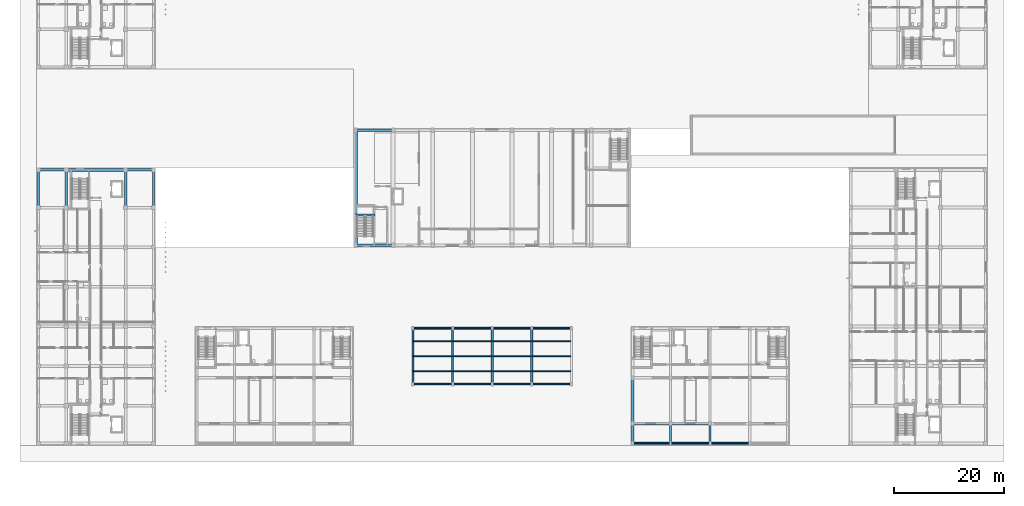
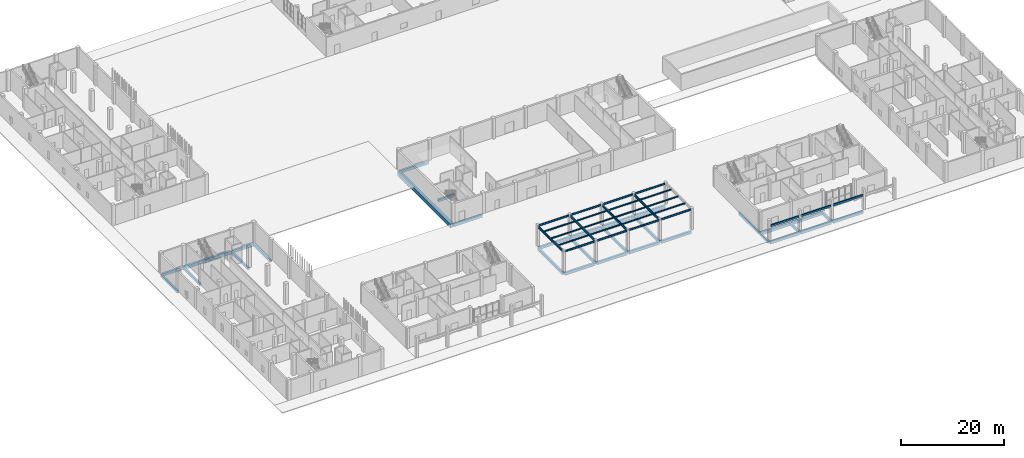
# One storey, part 11 of 85: 59 beams.
"""IFC4 building model written with IfcOpenShell, lengths in metres."""

from ifc_helpers import new_model, si_unit, derived_unit, direction, frame, origin, origin_2d, place, context, subcontext, project, spatial, rectangle, i_section, extrude, material, material_profile, profile_set, type_object, element, save


model = new_model("IFC4")

# Units and contexts
model_context = context("Model", 3, precision=1e-05, world=origin(), true_north=direction((0.0, 1.0)))
body_context = subcontext(model_context, "Body", "Model", "MODEL_VIEW")
ifc_project = project(units=[si_unit("LENGTHUNIT", "METRE"), si_unit("AREAUNIT", "SQUARE_METRE"), si_unit("VOLUMEUNIT", "CUBIC_METRE"), si_unit("PLANEANGLEUNIT", "RADIAN"), si_unit("MASSUNIT", "GRAM", prefix="KILO"), derived_unit("THERMALTRANSMITTANCEUNIT", [(si_unit("MASSUNIT", "GRAM", prefix="KILO"), 1), (si_unit("TIMEUNIT", "SECOND"), -3), (si_unit("THERMODYNAMICTEMPERATUREUNIT", "KELVIN"), -1)])], contexts=[model_context])

# Site, building, storey
site_placement = place(None, origin())
site = spatial("IfcSite", under=ifc_project, at=site_placement, CompositionType="ELEMENT")
building_placement = place(site_placement, origin())
building = spatial("IfcBuilding", under=site, at=building_placement, Name="Ochrekiln Boulevard Commons", CompositionType="ELEMENT")
storey_placement = place(building_placement, origin())
storey = spatial("IfcBuildingStorey", under=building, at=storey_placement, Name="L00", CompositionType="ELEMENT", Elevation=0.0)

# Beams
ifc_material_1 = material(Name="Concrete C35/45", Category="concrete")
ifc_material_profile_1 = material_profile(ifc_material_1, rectangle(XDim=0.39990234375, YDim=0.60009765625, at=origin_2d()), Name="RC-BM-400x600")
ifc_profile_set_1 = profile_set([ifc_material_profile_1], Name="Concrete C35/45")
beam_type_1 = type_object("IfcBeamType", Name="BM-RC-400x600", PredefinedType="BEAM", material=ifc_profile_set_1)
for number, where, z_axis, x_axis, name in (
    (1, (0.35009765625, 43.409912109375, -0.580078125), (0.0, 1.0, 0.0), (-1.0, 0.0, 0.0), "Block D L00 Beam B-4060 Y29"),
    (2, (5.39990234375, 43.409912109375, -0.580078125), (0.0, 1.0, 0.0), (-1.0, 0.0, 0.0), "Block D L00 Beam B-4060 Y36"),
    (3, (16.199951171875, 43.409912109375, -0.580078125), (0.0, 1.0, 0.0), (-1.0, 0.0, 0.0), "Block D L00 Beam B-4060 Y43"),
    (4, (21.25, 43.409912109375, -0.580078125), (0.0, 1.0, 0.0), (-1.0, 0.0, 0.0), "Block D L00 Beam B-4060 Y50"),
):
    element("IfcBeam", number, at=place(storey_placement, frame(where, z_axis=z_axis, x_axis=x_axis)), inside=storey, type_object=beam_type_1, Name=name, PredefinedType="BEAM", context=body_context, shape_type="SweptSolid", body=[
        extrude(rectangle(XDim=0.39990234375, YDim=0.60009765625, at=origin_2d()), origin(), (0.0, 0.0, 1.0), 6.43017578125),
    ])
beam_1_placement = place(storey_placement, frame((108.35009765625, 0.56005859375, -0.590087890625), z_axis=(0.0, 1.0, 0.0), x_axis=(-1.0, 0.0, 0.0)))
element("IfcBeam", 5, at=beam_1_placement, inside=storey, type_object=beam_type_1, Name="East Boulevard Shops and Arcade L00 Beam B-4060 Y17", PredefinedType="BEAM", context=body_context, shape_type="SweptSolid", body=[
    extrude(rectangle(XDim=0.39990234375, YDim=0.60009765625, at=origin_2d()), origin(), (0.0, 0.0, 1.0), 3.179931640625),
])
beam_2_placement = place(storey_placement, frame((108.35009765625, 4.159912109375, -0.590087890625), z_axis=(0.0, 1.0, 0.0), x_axis=(-1.0, 0.0, 0.0)))
element("IfcBeam", 6, at=beam_2_placement, inside=storey, type_object=beam_type_1, Name="East Boulevard Shops and Arcade L00 Beam B-4060 Y18", PredefinedType="BEAM", context=body_context, shape_type="SweptSolid", body=[
    extrude(rectangle(XDim=0.39990234375, YDim=0.60009765625, at=origin_2d()), origin(), (0.0, 0.0, 1.0), 7.880126953125),
])
for number, where, z_axis, x_axis, name in (
    (7, (115.199951171875, 0.56005859375, -0.590087890625), (0.0, 1.0, 0.0), (-1.0, 0.0, 0.0), "East Boulevard Shops and Arcade L00 Beam B-4060 Y20"),
    (8, (122.39990234375, 0.56005859375, -0.590087890625), (0.0, 1.0, 0.0), (-1.0, 0.0, 0.0), "East Boulevard Shops and Arcade L00 Beam B-4060 Y23"),
):
    element("IfcBeam", number, at=place(storey_placement, frame(where, z_axis=z_axis, x_axis=x_axis)), inside=storey, type_object=beam_type_1, Name=name, PredefinedType="BEAM", context=body_context, shape_type="SweptSolid", body=[
        extrude(rectangle(XDim=0.39990234375, YDim=0.60009765625, at=origin_2d()), origin(), (0.0, 0.0, 1.0), 3.179931640625),
    ])
for number, where, z_axis, x_axis, name in (
    (9, (68.39990234375, 11.360107421875, -0.580078125), (0.0, 1.0, 0.0), (-1.0, 0.0, 0.0), "Forecourt Canopy L00 Beam B-4060 Y9"),
    (10, (75.60009765625, 11.360107421875, -0.580078125), (0.0, 1.0, 0.0), (-1.0, 0.0, 0.0), "Forecourt Canopy L00 Beam B-4060 Y10"),
    (11, (82.800048828125, 11.360107421875, -0.580078125), (0.0, 1.0, 0.0), (-1.0, 0.0, 0.0), "Forecourt Canopy L00 Beam B-4060 Y11"),
    (12, (90.0, 11.360107421875, -0.580078125), (0.0, 1.0, 0.0), (-1.0, 0.0, 0.0), "Forecourt Canopy L00 Beam B-4060 Y12"),
):
    element("IfcBeam", number, at=place(storey_placement, frame(where, z_axis=z_axis, x_axis=x_axis)), inside=storey, type_object=beam_type_1, Name=name, PredefinedType="BEAM", context=body_context, shape_type="SweptSolid", body=[
        extrude(rectangle(XDim=0.39990234375, YDim=0.60009765625, at=origin_2d()), origin(), (0.0, 0.0, 1.0), 9.679931640625),
    ])
beam_3_placement = place(storey_placement, frame((57.919921875, 41.8701171875, 1.93994140625), z_axis=(1.0, 0.0, 0.0), x_axis=(0.0, 1.0, 0.0)))
element("IfcBeam", 13, at=beam_3_placement, inside=storey, type_object=beam_type_1, Name="Stair ST-H1 L00 Half-Landing Support Beam B-4060", PredefinedType="BEAM", context=body_context, shape_type="SweptSolid", body=[
    extrude(rectangle(XDim=0.39990234375, YDim=0.60009765625, at=origin_2d()), origin(), (0.0, 0.0, 1.0), 3.56005859375),
])
ifc_material_profile_2 = material_profile(ifc_material_1, rectangle(XDim=0.449951171875, YDim=0.64990234375, at=origin_2d()), Name="RC-BM-450x650")
ifc_profile_set_2 = profile_set([ifc_material_profile_2], Name="Concrete C35/45")
beam_type_2 = type_object("IfcBeamType", Name="BM-RC-450x650", PredefinedType="BEAM", material=ifc_profile_set_2)
beam_4_placement = place(storey_placement, frame((0.56005859375, 50.050048828125, -0.60498046875), z_axis=(1.0, 0.0, 0.0), x_axis=(0.0, 1.0, 0.0)))
element("IfcBeam", 14, at=beam_4_placement, inside=storey, type_object=beam_type_2, Name="Block D L00 Beam B-4565 X20", PredefinedType="BEAM", context=body_context, shape_type="SweptSolid", body=[
    extrude(rectangle(XDim=0.449951171875, YDim=0.64990234375, at=origin_2d()), origin(), (0.0, 0.0, 1.0), 4.6298828125),
])
beam_5_placement = place(storey_placement, frame((16.409912109375, 50.050048828125, -0.60498046875), z_axis=(1.0, 0.0, 0.0), x_axis=(0.0, 1.0, 0.0)))
element("IfcBeam", 15, at=beam_5_placement, inside=storey, type_object=beam_type_2, Name="Block D L00 Beam B-4565 X22", PredefinedType="BEAM", context=body_context, shape_type="SweptSolid", body=[
    extrude(rectangle(XDim=0.449951171875, YDim=0.64990234375, at=origin_2d()), origin(), (0.0, 0.0, 1.0), 4.630126953125),
])
for number, where, z_axis, x_axis, name in (
    (16, (58.159912109375, 36.35009765625, -0.64501953125), (1.0, 0.0, 0.0), (0.0, 1.0, 0.0), "Community Hall L00 Beam B-4565 X1"),
    (17, (58.159912109375, 57.25, -0.64501953125), (1.0, 0.0, 0.0), (0.0, 1.0, 0.0), "Community Hall L00 Beam B-4565 X8"),
):
    element("IfcBeam", number, at=place(storey_placement, frame(where, z_axis=z_axis, x_axis=x_axis)), inside=storey, type_object=beam_type_2, Name=name, PredefinedType="BEAM", context=body_context, shape_type="SweptSolid", body=[
        extrude(rectangle(XDim=0.449951171875, YDim=0.64990234375, at=origin_2d()), origin(), (0.0, 0.0, 1.0), 6.43017578125),
    ])
beam_6_placement = place(storey_placement, frame((108.56005859375, 0.35009765625, -0.614990234375), z_axis=(1.0, 0.0, 0.0), x_axis=(0.0, 1.0, 0.0)))
element("IfcBeam", 18, at=beam_6_placement, inside=storey, type_object=beam_type_2, Name="East Boulevard Shops and Arcade L00 Beam B-4565 X1", PredefinedType="BEAM", context=body_context, shape_type="SweptSolid", body=[
    extrude(rectangle(XDim=0.449951171875, YDim=0.64990234375, at=origin_2d()), origin(), (0.0, 0.0, 1.0), 6.429931640625),
])
beam_7_placement = place(storey_placement, frame((115.409912109375, 0.35009765625, -0.614990234375), z_axis=(1.0, 0.0, 0.0), x_axis=(0.0, 1.0, 0.0)))
element("IfcBeam", 19, at=beam_7_placement, inside=storey, type_object=beam_type_2, Name="East Boulevard Shops and Arcade L00 Beam B-4565 X2", PredefinedType="BEAM", context=body_context, shape_type="SweptSolid", body=[
    extrude(rectangle(XDim=0.449951171875, YDim=0.64990234375, at=origin_2d()), origin(), (0.0, 0.0, 1.0), 6.780029296875),
])
beam_8_placement = place(storey_placement, frame((122.610107421875, 0.35009765625, -0.614990234375), z_axis=(1.0, 0.0, 0.0), x_axis=(0.0, 1.0, 0.0)))
element("IfcBeam", 20, at=beam_8_placement, inside=storey, type_object=beam_type_2, Name="East Boulevard Shops and Arcade L00 Beam B-4565 X3", PredefinedType="BEAM", context=body_context, shape_type="SweptSolid", body=[
    extrude(rectangle(XDim=0.449951171875, YDim=0.64990234375, at=origin_2d()), origin(), (0.0, 0.0, 1.0), 6.77978515625),
])
beam_9_placement = place(storey_placement, frame((108.56005859375, 3.949951171875, -0.614990234375), z_axis=(1.0, 0.0, 0.0), x_axis=(0.0, 1.0, 0.0)))
element("IfcBeam", 21, at=beam_9_placement, inside=storey, type_object=beam_type_2, Name="East Boulevard Shops and Arcade L00 Beam B-4565 X5", PredefinedType="BEAM", context=body_context, shape_type="SweptSolid", body=[
    extrude(rectangle(XDim=0.449951171875, YDim=0.64990234375, at=origin_2d()), origin(), (0.0, 0.0, 1.0), 6.429931640625),
])
beam_10_placement = place(storey_placement, frame((115.409912109375, 3.949951171875, -0.614990234375), z_axis=(1.0, 0.0, 0.0), x_axis=(0.0, 1.0, 0.0)))
element("IfcBeam", 22, at=beam_10_placement, inside=storey, type_object=beam_type_2, Name="East Boulevard Shops and Arcade L00 Beam B-4565 X6", PredefinedType="BEAM", context=body_context, shape_type="SweptSolid", body=[
    extrude(rectangle(XDim=0.449951171875, YDim=0.64990234375, at=origin_2d()), origin(), (0.0, 0.0, 1.0), 6.780029296875),
])
beam_11_placement = place(storey_placement, frame((68.610107421875, 11.14990234375, -0.60498046875), z_axis=(1.0, 0.0, 0.0), x_axis=(0.0, 1.0, 0.0)))
element("IfcBeam", 23, at=beam_11_placement, inside=storey, type_object=beam_type_2, Name="Forecourt Canopy L00 Beam B-4565 X1", PredefinedType="BEAM", context=body_context, shape_type="SweptSolid", body=[
    extrude(rectangle(XDim=0.449951171875, YDim=0.64990234375, at=origin_2d()), origin(), (0.0, 0.0, 1.0), 6.77978515625),
])
for number, where, z_axis, x_axis, name in (
    (24, (75.81005859375, 11.14990234375, -0.60498046875), (1.0, 0.0, 0.0), (0.0, 1.0, 0.0), "Forecourt Canopy L00 Beam B-4565 X2"),
    (25, (83.010009765625, 11.14990234375, -0.60498046875), (1.0, 0.0, 0.0), (0.0, 1.0, 0.0), "Forecourt Canopy L00 Beam B-4565 X3"),
    (26, (90.2099609375, 11.14990234375, -0.60498046875), (1.0, 0.0, 0.0), (0.0, 1.0, 0.0), "Forecourt Canopy L00 Beam B-4565 X4"),
):
    element("IfcBeam", number, at=place(storey_placement, frame(where, z_axis=z_axis, x_axis=x_axis)), inside=storey, type_object=beam_type_2, Name=name, PredefinedType="BEAM", context=body_context, shape_type="SweptSolid", body=[
        extrude(rectangle(XDim=0.449951171875, YDim=0.64990234375, at=origin_2d()), origin(), (0.0, 0.0, 1.0), 6.780029296875),
    ])
beam_12_placement = place(storey_placement, frame((68.610107421875, 21.25, -0.60498046875), z_axis=(1.0, 0.0, 0.0), x_axis=(0.0, 1.0, 0.0)))
element("IfcBeam", 27, at=beam_12_placement, inside=storey, type_object=beam_type_2, Name="Forecourt Canopy L00 Beam B-4565 X5", PredefinedType="BEAM", context=body_context, shape_type="SweptSolid", body=[
    extrude(rectangle(XDim=0.449951171875, YDim=0.64990234375, at=origin_2d()), origin(), (0.0, 0.0, 1.0), 6.77978515625),
])
for number, where, z_axis, x_axis, name in (
    (28, (75.81005859375, 21.25, -0.60498046875), (1.0, 0.0, 0.0), (0.0, 1.0, 0.0), "Forecourt Canopy L00 Beam B-4565 X6"),
    (29, (83.010009765625, 21.25, -0.60498046875), (1.0, 0.0, 0.0), (0.0, 1.0, 0.0), "Forecourt Canopy L00 Beam B-4565 X7"),
    (30, (90.2099609375, 21.25, -0.60498046875), (1.0, 0.0, 0.0), (0.0, 1.0, 0.0), "Forecourt Canopy L00 Beam B-4565 X8"),
):
    element("IfcBeam", number, at=place(storey_placement, frame(where, z_axis=z_axis, x_axis=x_axis)), inside=storey, type_object=beam_type_2, Name=name, PredefinedType="BEAM", context=body_context, shape_type="SweptSolid", body=[
        extrude(rectangle(XDim=0.449951171875, YDim=0.64990234375, at=origin_2d()), origin(), (0.0, 0.0, 1.0), 6.780029296875),
    ])
ifc_material_2 = material(Name="Concrete C40/50", Category="concrete")
ifc_material_profile_3 = material_profile(ifc_material_2, rectangle(XDim=0.5, YDim=0.699951171875, at=origin_2d()), Name="RC-BM-500x700")
ifc_profile_set_3 = profile_set([ifc_material_profile_3], Name="Concrete C40/50")
beam_type_3 = type_object("IfcBeamType", Name="BM-RC-500x700", PredefinedType="BEAM", material=ifc_profile_set_3)
beam_13_placement = place(storey_placement, frame((5.610107421875, 50.050048828125, -0.6298828125), z_axis=(1.0, 0.0, 0.0), x_axis=(0.0, 1.0, 0.0)))
element("IfcBeam", 31, at=beam_13_placement, inside=storey, type_object=beam_type_3, Name="Block D L00 Beam B-5070 X21", PredefinedType="BEAM", context=body_context, shape_type="SweptSolid", body=[
    extrude(rectangle(XDim=0.5, YDim=0.699951171875, at=origin_2d()), origin(), (0.0, 0.0, 1.0), 10.3798828125),
])
ifc_material_3 = material(Name="Steel A992 Grade 50", Category="steel")
ifc_material_profile_4 = material_profile(ifc_material_3, i_section(OverallWidth=0.177978515625, OverallDepth=0.403076171875, WebThickness=0.007568359375, FlangeThickness=0.010986328125, at=origin_2d()), Name="W16X36")
ifc_profile_set_4 = profile_set([ifc_material_profile_4], Name="Steel A992 Grade 50")
beam_type_4 = type_object("IfcBeamType", Name="BM-STL-W16X36", PredefinedType="BEAM", material=ifc_profile_set_4)
beam_14_placement = place(storey_placement, frame((68.610107421875, 11.14990234375, 4.718505859375), z_axis=(1.0, 0.0, 0.0), x_axis=(0.0, 1.0, 0.0)))
element("IfcBeam", 32, at=beam_14_placement, inside=storey, type_object=beam_type_4, Name="Forecourt Canopy L00 Beam SB-W16 X1", PredefinedType="BEAM", context=body_context, shape_type="SweptSolid", body=[
    extrude(i_section(OverallWidth=0.177978515625, OverallDepth=0.403076171875, WebThickness=0.007568359375, FlangeThickness=0.010986328125, at=origin_2d()), origin(), (0.0, 0.0, 1.0), 6.77978515625),
])
for number, where, z_axis, x_axis, name in (
    (33, (75.81005859375, 11.14990234375, 4.718505859375), (1.0, 0.0, 0.0), (0.0, 1.0, 0.0), "Forecourt Canopy L00 Beam SB-W16 X2"),
    (34, (83.010009765625, 11.14990234375, 4.718505859375), (1.0, 0.0, 0.0), (0.0, 1.0, 0.0), "Forecourt Canopy L00 Beam SB-W16 X3"),
    (35, (90.2099609375, 11.14990234375, 4.718505859375), (1.0, 0.0, 0.0), (0.0, 1.0, 0.0), "Forecourt Canopy L00 Beam SB-W16 X4"),
):
    element("IfcBeam", number, at=place(storey_placement, frame(where, z_axis=z_axis, x_axis=x_axis)), inside=storey, type_object=beam_type_4, Name=name, PredefinedType="BEAM", context=body_context, shape_type="SweptSolid", body=[
        extrude(i_section(OverallWidth=0.177978515625, OverallDepth=0.403076171875, WebThickness=0.007568359375, FlangeThickness=0.010986328125, at=origin_2d()), origin(), (0.0, 0.0, 1.0), 6.780029296875),
    ])
beam_15_placement = place(storey_placement, frame((68.610107421875, 21.25, 4.718505859375), z_axis=(1.0, 0.0, 0.0), x_axis=(0.0, 1.0, 0.0)))
element("IfcBeam", 36, at=beam_15_placement, inside=storey, type_object=beam_type_4, Name="Forecourt Canopy L00 Beam SB-W16 X5", PredefinedType="BEAM", context=body_context, shape_type="SweptSolid", body=[
    extrude(i_section(OverallWidth=0.177978515625, OverallDepth=0.403076171875, WebThickness=0.007568359375, FlangeThickness=0.010986328125, at=origin_2d()), origin(), (0.0, 0.0, 1.0), 6.77978515625),
])
for number, where, z_axis, x_axis, name in (
    (37, (75.81005859375, 21.25, 4.718505859375), (1.0, 0.0, 0.0), (0.0, 1.0, 0.0), "Forecourt Canopy L00 Beam SB-W16 X6"),
    (38, (83.010009765625, 21.25, 4.718505859375), (1.0, 0.0, 0.0), (0.0, 1.0, 0.0), "Forecourt Canopy L00 Beam SB-W16 X7"),
    (39, (90.2099609375, 21.25, 4.718505859375), (1.0, 0.0, 0.0), (0.0, 1.0, 0.0), "Forecourt Canopy L00 Beam SB-W16 X8"),
):
    element("IfcBeam", number, at=place(storey_placement, frame(where, z_axis=z_axis, x_axis=x_axis)), inside=storey, type_object=beam_type_4, Name=name, PredefinedType="BEAM", context=body_context, shape_type="SweptSolid", body=[
        extrude(i_section(OverallWidth=0.177978515625, OverallDepth=0.403076171875, WebThickness=0.007568359375, FlangeThickness=0.010986328125, at=origin_2d()), origin(), (0.0, 0.0, 1.0), 6.780029296875),
    ])
ifc_material_profile_5 = material_profile(ifc_material_3, i_section(OverallWidth=0.2099609375, OverallDepth=0.532958984375, WebThickness=0.01025390625, FlangeThickness=0.015625, at=origin_2d()), Name="W21X62")
ifc_profile_set_5 = profile_set([ifc_material_profile_5], Name="Steel A992 Grade 50")
beam_type_5 = type_object("IfcBeamType", Name="BM-STL-W21X62", PredefinedType="BEAM", material=ifc_profile_set_5)
for number, where, z_axis, x_axis, name in (
    (40, (68.39990234375, 11.360107421875, 4.653564453125), (0.0, 1.0, 0.0), (-1.0, 0.0, 0.0), "Forecourt Canopy L00 Beam SB-W21 Y9"),
    (41, (75.60009765625, 11.360107421875, 4.653564453125), (0.0, 1.0, 0.0), (-1.0, 0.0, 0.0), "Forecourt Canopy L00 Beam SB-W21 Y10"),
    (42, (82.800048828125, 11.360107421875, 4.653564453125), (0.0, 1.0, 0.0), (-1.0, 0.0, 0.0), "Forecourt Canopy L00 Beam SB-W21 Y11"),
    (43, (90.0, 11.360107421875, 4.653564453125), (0.0, 1.0, 0.0), (-1.0, 0.0, 0.0), "Forecourt Canopy L00 Beam SB-W21 Y12"),
):
    element("IfcBeam", number, at=place(storey_placement, frame(where, z_axis=z_axis, x_axis=x_axis)), inside=storey, type_object=beam_type_5, Name=name, PredefinedType="BEAM", context=body_context, shape_type="SweptSolid", body=[
        extrude(i_section(OverallWidth=0.2099609375, OverallDepth=0.532958984375, WebThickness=0.01025390625, FlangeThickness=0.015625, at=origin_2d()), origin(), (0.0, 0.0, 1.0), 9.679931640625),
    ])
ifc_material_profile_6 = material_profile(ifc_material_2, rectangle(XDim=0.699951171875, YDim=1.0, at=origin_2d()), Name="RC-TRG-700x1000")
ifc_profile_set_6 = profile_set([ifc_material_profile_6], Name="Concrete C40/50")
beam_type_6 = type_object("IfcBeamType", Name="BM-TRG-700x1000", PredefinedType="BEAM", material=ifc_profile_set_6)
beam_16_placement = place(storey_placement, frame((57.949951171875, 36.56005859375, -0.820068359375), z_axis=(0.0, 1.0, 0.0), x_axis=(-1.0, 0.0, 0.0)))
element("IfcBeam", 44, at=beam_16_placement, inside=storey, type_object=beam_type_6, Name="Community Hall L00 Beam TG-02 Y15", PredefinedType="BEAM", context=body_context, shape_type="SweptSolid", body=[
    extrude(rectangle(XDim=0.699951171875, YDim=1.0, at=origin_2d()), origin(), (0.0, 0.0, 1.0), 20.47998046875),
])
ifc_material_profile_7 = material_profile(ifc_material_3, i_section(OverallWidth=0.1650390625, OverallDepth=0.31005859375, WebThickness=0.005859375, FlangeThickness=0.009765625, at=origin_2d()), Name="W12X26")
ifc_profile_set_7 = profile_set([ifc_material_profile_7], Name="Steel A992 Grade 50")
beam_type_7 = type_object("IfcBeamType", Name="JST-STL-W12X26", PredefinedType="JOIST", material=ifc_profile_set_7)
for number, where, z_axis, x_axis, name in (
    (45, (68.5, 13.5, 4.764892578125), (1.0, 0.0, 0.0), (0.0, 1.0, 0.0), "Forecourt Canopy Steel Joist SJ-W12 (37)"),
    (46, (68.5, 16.199951171875, 4.764892578125), (1.0, 0.0, 0.0), (0.0, 1.0, 0.0), "Forecourt Canopy Steel Joist SJ-W12 (38)"),
    (47, (68.5, 18.89990234375, 4.764892578125), (1.0, 0.0, 0.0), (0.0, 1.0, 0.0), "Forecourt Canopy Steel Joist SJ-W12 (39)"),
    (48, (75.699951171875, 13.5, 4.764892578125), (1.0, 0.0, 0.0), (0.0, 1.0, 0.0), "Forecourt Canopy Steel Joist SJ-W12 (40)"),
    (49, (75.699951171875, 16.199951171875, 4.764892578125), (1.0, 0.0, 0.0), (0.0, 1.0, 0.0), "Forecourt Canopy Steel Joist SJ-W12 (41)"),
    (50, (75.699951171875, 18.89990234375, 4.764892578125), (1.0, 0.0, 0.0), (0.0, 1.0, 0.0), "Forecourt Canopy Steel Joist SJ-W12 (42)"),
    (51, (82.89990234375, 13.5, 4.764892578125), (1.0, 0.0, 0.0), (0.0, 1.0, 0.0), "Forecourt Canopy Steel Joist SJ-W12 (43)"),
    (52, (82.89990234375, 16.199951171875, 4.764892578125), (1.0, 0.0, 0.0), (0.0, 1.0, 0.0), "Forecourt Canopy Steel Joist SJ-W12 (44)"),
    (53, (82.89990234375, 18.89990234375, 4.764892578125), (1.0, 0.0, 0.0), (0.0, 1.0, 0.0), "Forecourt Canopy Steel Joist SJ-W12 (45)"),
    (54, (90.10009765625, 13.5, 4.764892578125), (1.0, 0.0, 0.0), (0.0, 1.0, 0.0), "Forecourt Canopy Steel Joist SJ-W12 (46)"),
    (55, (90.10009765625, 16.199951171875, 4.764892578125), (1.0, 0.0, 0.0), (0.0, 1.0, 0.0), "Forecourt Canopy Steel Joist SJ-W12 (47)"),
    (56, (90.10009765625, 18.89990234375, 4.764892578125), (1.0, 0.0, 0.0), (0.0, 1.0, 0.0), "Forecourt Canopy Steel Joist SJ-W12 (48)"),
):
    element("IfcBeam", number, at=place(storey_placement, frame(where, z_axis=z_axis, x_axis=x_axis)), inside=storey, type_object=beam_type_7, Name=name, PredefinedType="JOIST", context=body_context, shape_type="SweptSolid", body=[
        extrude(i_section(OverallWidth=0.1650390625, OverallDepth=0.31005859375, WebThickness=0.005859375, FlangeThickness=0.009765625, at=origin_2d()), origin(), (0.0, 0.0, 1.0), 7.0),
    ])
ifc_material_4 = material(Name="Precast concrete C40/50", Category="concrete")
ifc_material_profile_8 = material_profile(ifc_material_4, rectangle(XDim=0.280029296875, YDim=0.419921875, at=origin_2d()), Name="RC-LIN-280x420")
ifc_profile_set_8 = profile_set([ifc_material_profile_8], Name="Precast concrete C40/50")
beam_type_8 = type_object("IfcBeamType", Name="LIN-PC-280x420", PredefinedType="LINTEL", material=ifc_profile_set_8)
beam_17_placement = place(storey_placement, frame((108.550048828125, 0.35009765625, 3.340087890625), z_axis=(1.0, 0.0, 0.0), x_axis=(0.0, 1.0, 0.0)))
element("IfcBeam", 57, at=beam_17_placement, inside=storey, type_object=beam_type_8, Name="Boulevard Colonnade Precast Arch Lintel LN-2842 (5)", PredefinedType="LINTEL", context=body_context, shape_type="SweptSolid", body=[
    extrude(rectangle(XDim=0.280029296875, YDim=0.419921875, at=origin_2d()), origin(), (0.0, 0.0, 1.0), 6.449951171875),
])
beam_18_placement = place(storey_placement, frame((115.39990234375, 0.35009765625, 3.340087890625), z_axis=(1.0, 0.0, 0.0), x_axis=(0.0, 1.0, 0.0)))
element("IfcBeam", 58, at=beam_18_placement, inside=storey, type_object=beam_type_8, Name="Boulevard Colonnade Precast Arch Lintel LN-2842 (6)", PredefinedType="LINTEL", context=body_context, shape_type="SweptSolid", body=[
    extrude(rectangle(XDim=0.280029296875, YDim=0.419921875, at=origin_2d()), origin(), (0.0, 0.0, 1.0), 6.800048828125),
])
beam_19_placement = place(storey_placement, frame((122.60009765625, 0.35009765625, 3.340087890625), z_axis=(1.0, 0.0, 0.0), x_axis=(0.0, 1.0, 0.0)))
element("IfcBeam", 59, at=beam_19_placement, inside=storey, type_object=beam_type_8, Name="Boulevard Colonnade Precast Arch Lintel LN-2842 (7)", PredefinedType="LINTEL", context=body_context, shape_type="SweptSolid", body=[
    extrude(rectangle(XDim=0.280029296875, YDim=0.419921875, at=origin_2d()), origin(), (0.0, 0.0, 1.0), 6.7998046875),
])

save(model, "model.ifc")
